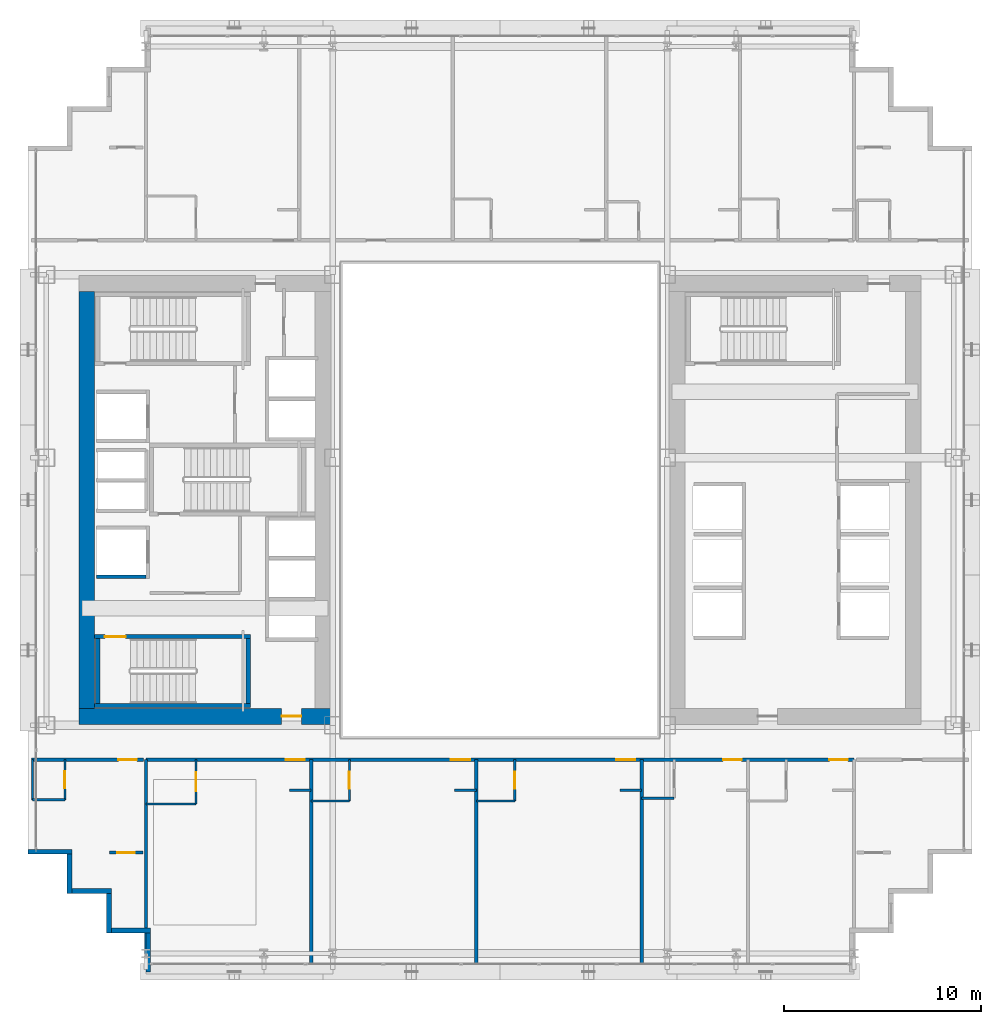
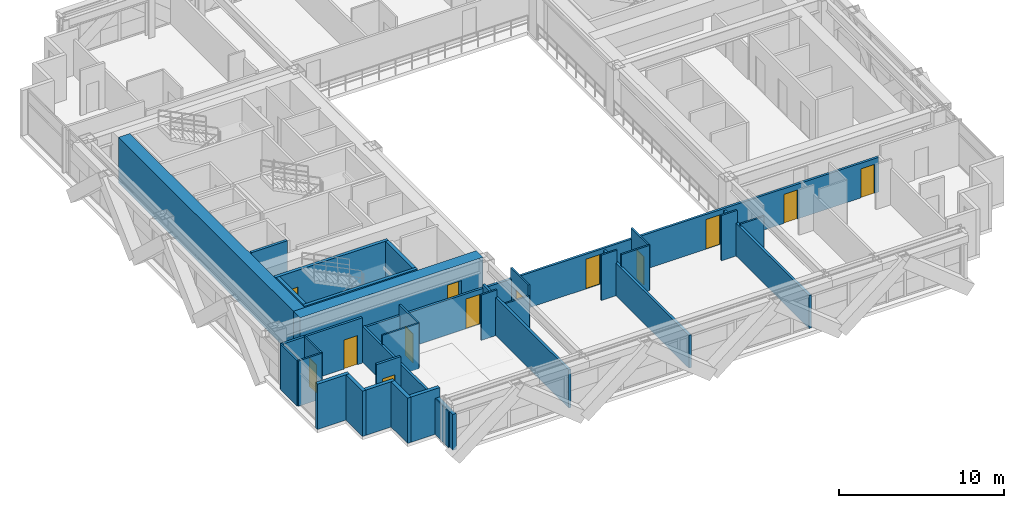
# One storey, part 27 of 35: 33 walls, 13 doors, 13 openings.
"""IFC4 building model written with IfcOpenShell, lengths in metres."""

from ifc_helpers import new_model, si_unit, direction, frame, frame_2d, origin, place, context, subcontext, project, spatial, rectangle, extrude, source, transform, mapped, material, layer, layer_set, type_object, element, fill, save


model = new_model("IFC4")

# Units and contexts
model_context = context("Model", 3, precision=1e-05, world=origin(), true_north=direction((0.0, 1.0)))
body_context = subcontext(model_context, "Body", "Model", "MODEL_VIEW")
ifc_project = project(units=[si_unit("LENGTHUNIT", "METRE"), si_unit("AREAUNIT", "SQUARE_METRE"), si_unit("VOLUMEUNIT", "CUBIC_METRE"), si_unit("PLANEANGLEUNIT", "RADIAN"), si_unit("MASSUNIT", "GRAM", prefix="KILO")], contexts=[model_context])

# Site, building, storey
site_placement = place(None, origin())
site = spatial("IfcSite", under=ifc_project, at=site_placement, CompositionType="ELEMENT")
building_placement = place(site_placement, origin())
building = spatial("IfcBuilding", under=site, at=building_placement, Name="Ocotamira Hotel", CompositionType="ELEMENT")
storey_placement = place(building_placement, frame((0.0, 0.0, 56.39990234375)))
storey = spatial("IfcBuildingStorey", under=building, at=storey_placement, Name="L13", CompositionType="ELEMENT", Elevation=56.39990234375)

# Wall, opening, door
ifc_material_1 = material(Name="Concrete C60/75", Category="concrete")
ifc_layer_1 = layer(ifc_material_1, 0.800048828125)
ifc_layer_set_1 = layer_set([ifc_layer_1], Name="Concrete C60/75")
wall_type_1 = type_object("IfcWallType", Name="WL-CORE-800", PredefinedType="SHEAR", material=ifc_layer_set_1)
wall_1_placement = place(storey_placement, frame((10.60009765625, 15.0, 0.0), z_axis=(0.0, 0.0, 1.0), x_axis=(1.0, 0.0, 0.0)))
wall_1 = element("IfcWall", 1, at=wall_1_placement, inside=storey, type_object=wall_type_1, Name="L13 Shear Core Wall WCORE-S", PredefinedType="SHEAR", context=body_context, shape_type="SweptSolid", body=[
    extrude(rectangle(XDim=12.7998046875, YDim=0.800048828125, at=frame_2d((6.39990234375, 0.0))), origin(), (0.0, 0.0, 1.0), 3.35009765625),
])
opening_1_placement = place(wall_1_placement, frame((10.300048828125, 0.0, 0.0)))
opening_1 = element("IfcOpeningElement", 2, at=opening_1_placement, cuts=wall_1, Name="Opening D-FR2", PredefinedType="OPENING", context=body_context, shape_type="SweptSolid", body=[
    extrude(rectangle(XDim=1.0, YDim=2.14990234375, at=frame_2d((0.5, 1.074951171875))), frame((0.0, 0.41015625, 0.0), z_axis=(0.0, -1.0, 0.0), x_axis=(1.0, 0.0, 0.0)), (0.0, 0.0, 1.0), 0.820068359375),
])
ifc_material_2 = material(Name="Fire-rated acoustic timber-veneer door", Category="wood")
door_type_1 = type_object("IfcDoorType", Name="DR-FIRE-1000", OperationType="NOTDEFINED", PredefinedType="DOOR", material=ifc_material_2)
shared_shape_1 = source(origin(), body_context, "Body", "SweptSolid", [
    extrude(rectangle(XDim=1.0, YDim=2.14990234375, at=frame_2d((0.5, 1.074951171875))), frame((0.0, 0.02490234375, 0.0), z_axis=(0.0, -1.0, 0.0), x_axis=(1.0, 0.0, 0.0)), (0.0, 0.0, 1.0), 0.050048828125),
])
door_1_placement = place(opening_1_placement, origin())
door_1 = element("IfcDoor", 3, at=door_1_placement, inside=storey, type_object=door_type_1, Name="L13 Door ID-L13-WLOB-S-D [ID-L13-WLOB-S-D]", OperationType="SINGLE_SWING_LEFT", OverallHeight=2.14990234375, OverallWidth=1.0, PredefinedType="DOOR", context=body_context, shape_type="MappedRepresentation", body=[
    mapped(shared_shape_1, transform((0.0, 0.0, 0.0), scale=1.0)),
])
fill(opening_1, door_1)

# Walls
wall_2_placement = place(storey_placement, frame((11.0, 15.39990234375, 0.0), z_axis=(0.0, 0.0, 1.0), x_axis=(0.0, 1.0, 0.0)))
element("IfcWall", 4, at=wall_2_placement, inside=storey, type_object=wall_type_1, Name="L13 Shear Core Wall WCORE-W", PredefinedType="SHEAR", context=body_context, shape_type="SweptSolid", body=[
    extrude(rectangle(XDim=21.2001953125, YDim=0.800048828125, at=frame_2d((10.60009765625, 0.0))), origin(), (0.0, 0.0, 1.0), 3.35009765625),
])
ifc_material_3 = material(Name="Precast concrete C45/55", Category="concrete")
ifc_layer_2 = layer(ifc_material_3, 0.25)
ifc_layer_set_2 = layer_set([ifc_layer_2], Name="Precast concrete C45/55")
wall_type_2 = type_object("IfcWallType", Name="WL-EXT-SER-250", PredefinedType="SOLIDWALL", material=ifc_layer_set_2)
wall_3_placement = place(storey_placement, frame((8.0, 8.125, 0.0), z_axis=(0.0, 0.0, 1.0), x_axis=(1.0, 0.0, 0.0)))
element("IfcWall", 5, at=wall_3_placement, inside=storey, type_object=wall_type_2, Name="L13 Serrated Corner Wall 19", PredefinedType="SOLIDWALL", context=body_context, shape_type="SweptSolid", body=[
    extrude(rectangle(XDim=2.25, YDim=0.25, at=frame_2d((1.125, 0.0))), origin(), (0.0, 0.0, 1.0), 3.35009765625),
])
for number, where, z_axis, x_axis, name in (
    (6, (10.125, 8.0, 0.0), (0.0, 0.0, 1.0), (0.0, -1.0, 0.0), "L13 Serrated Corner Wall 20"),
    (7, (10.25, 6.125, 0.0), (0.0, 0.0, 1.0), (1.0, 0.0, 0.0), "L13 Serrated Corner Wall 21"),
    (8, (12.125, 6.0, 0.0), (0.0, 0.0, 1.0), (0.0, -1.0, 0.0), "L13 Serrated Corner Wall 22"),
    (9, (12.25, 4.125, 0.0), (0.0, 0.0, 1.0), (1.0, 0.0, 0.0), "L13 Serrated Corner Wall 23"),
):
    element("IfcWall", number, at=place(storey_placement, frame(where, z_axis=z_axis, x_axis=x_axis)), inside=storey, type_object=wall_type_2, Name=name, PredefinedType="SOLIDWALL", context=body_context, shape_type="SweptSolid", body=[
        extrude(rectangle(XDim=2.0, YDim=0.25, at=frame_2d((1.0, 0.0))), origin(), (0.0, 0.0, 1.0), 3.35009765625),
    ])
wall_4_placement = place(storey_placement, frame((14.125, 4.0, 0.0), z_axis=(0.0, 0.0, 1.0), x_axis=(0.0, -1.0, 0.0)))
element("IfcWall", 10, at=wall_4_placement, inside=storey, type_object=wall_type_2, Name="L13 Serrated Corner Wall 24", PredefinedType="SOLIDWALL", context=body_context, shape_type="SweptSolid", body=[
    extrude(rectangle(XDim=2.0, YDim=0.25, at=frame_2d((1.0, 0.0))), origin(), (0.0, 0.0, 1.0), 2.656982421875),
])

# Wall, opening, door
ifc_material_4 = material(Name="Acoustic double-layer fire gypsum board partition", Category="gypsum")
ifc_layer_3 = layer(ifc_material_4, 0.159912109375)
ifc_layer_set_3 = layer_set([ifc_layer_3], Name="Acoustic double-layer fire gypsum board partition")
wall_type_3 = type_object("IfcWallType", Name="WL-FIRE-160", PredefinedType="PARTITIONING", material=ifc_layer_set_3)
wall_5_placement = place(storey_placement, frame((8.199951171875, 12.800048828125, 0.0), z_axis=(0.0, 0.0, 1.0), x_axis=(1.0, 0.0, 0.0)))
wall_5 = element("IfcWall", 11, at=wall_5_placement, inside=storey, type_object=wall_type_3, Name="L13 Interior Wall PW-L13-Z1C-CSW-CW", PredefinedType="PARTITIONING", context=body_context, shape_type="SweptSolid", body=[
    extrude(rectangle(XDim=5.679931640625, YDim=0.159912109375, at=frame_2d((2.83984375, 0.0))), origin(), (0.0, 0.0, 1.0), 3.35009765625),
])
opening_2_placement = place(wall_5_placement, frame((4.39990234375, 0.0, 0.0)))
opening_2 = element("IfcOpeningElement", 12, at=opening_2_placement, cuts=wall_5, Name="Opening D-GR1", PredefinedType="OPENING", context=body_context, shape_type="SweptSolid", body=[
    extrude(rectangle(XDim=0.93994140625, YDim=2.14990234375, at=frame_2d((0.469970703125, 1.074951171875))), frame((0.0, 0.08984375, 0.0), z_axis=(0.0, -1.0, 0.0), x_axis=(1.0, 0.0, 0.0)), (0.0, 0.0, 1.0), 0.179931640625),
])
ifc_material_5 = material(Name="Solid-core walnut suite entrance fire door", Category="wood")
door_type_2 = type_object("IfcDoorType", Name="DR-GUEST-940", OperationType="NOTDEFINED", PredefinedType="DOOR", material=ifc_material_5)
shared_shape_2 = source(origin(), body_context, "Body", "SweptSolid", [
    extrude(rectangle(XDim=0.93994140625, YDim=2.14990234375, at=frame_2d((0.469970703125, 1.074951171875))), frame((0.0, 0.02490234375, 0.0), z_axis=(0.0, -1.0, 0.0), x_axis=(1.0, 0.0, 0.0)), (0.0, 0.0, 1.0), 0.050048828125),
])
door_2_placement = place(opening_2_placement, origin())
door_2 = element("IfcDoor", 13, at=door_2_placement, inside=storey, type_object=door_type_2, Name="L13 Door ID-L13-Z1C-CSW-CD [ID-L13-Z1C-CSW-CD]", OperationType="SINGLE_SWING_RIGHT", OverallHeight=2.14990234375, OverallWidth=0.93994140625, PredefinedType="DOOR", context=body_context, shape_type="MappedRepresentation", body=[
    mapped(shared_shape_2, transform((0.0, 0.0, 0.0), scale=1.0)),
])
fill(opening_2, door_2)

wall_6_placement = place(storey_placement, frame((12.14990234375, 8.080078125, 0.0), z_axis=(0.0, 0.0, 1.0), x_axis=(1.0, 0.0, 0.0)))
wall_6 = element("IfcWall", 14, at=wall_6_placement, inside=storey, type_object=wall_type_3, Name="L13 Interior Wall PW-L13-Z1C-CSW2-CW", PredefinedType="PARTITIONING", context=body_context, shape_type="SweptSolid", body=[
    extrude(rectangle(XDim=1.7001953125, YDim=0.159912109375, at=frame_2d((0.85009765625, 0.0))), origin(), (0.0, 0.0, 1.0), 3.35009765625),
])
opening_3_placement = place(wall_6_placement, frame((0.409912109375, 0.0, 0.0)))
opening_3 = element("IfcOpeningElement", 15, at=opening_3_placement, cuts=wall_6, Name="Opening D-SV2", PredefinedType="OPENING", context=body_context, shape_type="SweptSolid", body=[
    extrude(rectangle(XDim=0.8798828125, YDim=2.14990234375, at=frame_2d((0.43994140625, 1.074951171875))), frame((0.0, 0.08984375, 0.0), z_axis=(0.0, -1.0, 0.0), x_axis=(1.0, 0.0, 0.0)), (0.0, 0.0, 1.0), 0.179931640625),
])
ifc_material_6 = material(Name="Fire-rated painted steel service door", Category="steel")
door_type_3 = type_object("IfcDoorType", Name="DR-SERV-880", OperationType="NOTDEFINED", PredefinedType="DOOR", material=ifc_material_6)
shared_shape_3 = source(origin(), body_context, "Body", "SweptSolid", [
    extrude(rectangle(XDim=0.8798828125, YDim=2.14990234375, at=frame_2d((0.43994140625, 1.074951171875))), frame((0.0, 0.02490234375, 0.0), z_axis=(0.0, -1.0, 0.0), x_axis=(1.0, 0.0, 0.0)), (0.0, 0.0, 1.0), 0.050048828125),
])
door_3_placement = place(opening_3_placement, origin())
door_3 = element("IfcDoor", 16, at=door_3_placement, inside=storey, type_object=door_type_3, Name="L13 Door ID-L13-Z1C-CSW2-CD [ID-L13-Z1C-CSW2-CD]", OperationType="SINGLE_SWING_LEFT", OverallHeight=2.14990234375, OverallWidth=0.8798828125, PredefinedType="DOOR", context=body_context, shape_type="MappedRepresentation", body=[
    mapped(shared_shape_3, transform((0.0, 0.0, 0.0), scale=1.0)),
])
fill(opening_3, door_3)

# Wall, openings, doors
wall_7_placement = place(storey_placement, frame((14.0, 12.800048828125, 0.0), z_axis=(0.0, 0.0, 1.0), x_axis=(1.0, 0.0, 0.0)))
wall_7 = element("IfcWall", 17, at=wall_7_placement, inside=storey, type_object=wall_type_3, Name="L13 Interior Wall PW-L13-Z1CS-CORRW", PredefinedType="PARTITIONING", context=body_context, shape_type="SweptSolid", body=[
    extrude(rectangle(XDim=36.0, YDim=0.159912109375, at=frame_2d((18.0, 0.0))), origin(), (0.0, 0.0, 1.0), 2.571044921875),
])
opening_4_placement = place(wall_7_placement, frame((7.10009765625, 0.0, 0.0)))
opening_4 = element("IfcOpeningElement", 18, at=opening_4_placement, cuts=wall_7, Name="Opening D-GR2", PredefinedType="OPENING", context=body_context, shape_type="SweptSolid", body=[
    extrude(rectangle(XDim=0.97998046875, YDim=2.199951171875, at=frame_2d((0.489990234375, 1.10009765625))), frame((0.0, 0.08984375, 0.0), z_axis=(0.0, -1.0, 0.0), x_axis=(1.0, 0.0, 0.0)), (0.0, 0.0, 1.0), 0.179931640625),
])
opening_5_placement = place(wall_7_placement, frame((15.5, 0.0, 0.0)))
opening_5 = element("IfcOpeningElement", 19, at=opening_5_placement, cuts=wall_7, Name="Opening D-GR2", PredefinedType="OPENING", context=body_context, shape_type="SweptSolid", body=[
    extrude(rectangle(XDim=0.97998046875, YDim=2.199951171875, at=frame_2d((0.489990234375, 1.10009765625))), frame((0.0, 0.08984375, 0.0), z_axis=(0.0, -1.0, 0.0), x_axis=(1.0, 0.0, 0.0)), (0.0, 0.0, 1.0), 0.179931640625),
])
opening_6_placement = place(wall_7_placement, frame((23.89990234375, 0.0, 0.0)))
opening_6 = element("IfcOpeningElement", 20, at=opening_6_placement, cuts=wall_7, Name="Opening D-GR2", PredefinedType="OPENING", context=body_context, shape_type="SweptSolid", body=[
    extrude(rectangle(XDim=0.97998046875, YDim=2.199951171875, at=frame_2d((0.489990234375, 1.10009765625))), frame((0.0, 0.08984375, 0.0), z_axis=(0.0, -1.0, 0.0), x_axis=(1.0, 0.0, 0.0)), (0.0, 0.0, 1.0), 0.179931640625),
])
opening_7_placement = place(wall_7_placement, frame((29.340087890625, 0.0, 0.0)))
opening_7 = element("IfcOpeningElement", 21, at=opening_7_placement, cuts=wall_7, Name="Opening D-GR1", PredefinedType="OPENING", context=body_context, shape_type="SweptSolid", body=[
    extrude(rectangle(XDim=0.93994140625, YDim=2.14990234375, at=frame_2d((0.469970703125, 1.074951171875))), frame((0.0, 0.08984375, 0.0), z_axis=(0.0, -1.0, 0.0), x_axis=(1.0, 0.0, 0.0)), (0.0, 0.0, 1.0), 0.179931640625),
])
opening_8_placement = place(wall_7_placement, frame((34.739990234375, 0.0, 0.0)))
opening_8 = element("IfcOpeningElement", 22, at=opening_8_placement, cuts=wall_7, Name="Opening D-GR1", PredefinedType="OPENING", context=body_context, shape_type="SweptSolid", body=[
    extrude(rectangle(XDim=0.93994140625, YDim=2.14990234375, at=frame_2d((0.469970703125, 1.074951171875))), frame((0.0, 0.08984375, 0.0), z_axis=(0.0, -1.0, 0.0), x_axis=(1.0, 0.0, 0.0)), (0.0, 0.0, 1.0), 0.179931640625),
])
door_4_placement = place(opening_7_placement, origin())
door_4 = element("IfcDoor", 23, at=door_4_placement, inside=storey, type_object=door_type_2, Name="L13 Door ID-L13-Z1CS-RMD4 [ID-L13-Z1CS-RMD4]", OperationType="SINGLE_SWING_RIGHT", OverallHeight=2.14990234375, OverallWidth=0.93994140625, PredefinedType="DOOR", context=body_context, shape_type="MappedRepresentation", body=[
    mapped(shared_shape_2, transform((0.0, 0.0, 0.0), scale=1.0)),
])
fill(opening_7, door_4)
door_5_placement = place(opening_8_placement, origin())
door_5 = element("IfcDoor", 24, at=door_5_placement, inside=storey, type_object=door_type_2, Name="L13 Door ID-L13-Z1CS-RMD5 [ID-L13-Z1CS-RMD5]", OperationType="SINGLE_SWING_LEFT", OverallHeight=2.14990234375, OverallWidth=0.93994140625, PredefinedType="DOOR", context=body_context, shape_type="MappedRepresentation", body=[
    mapped(shared_shape_2, transform((0.0, 0.0, 0.0), scale=1.0)),
])
fill(opening_8, door_5)
ifc_material_7 = material(Name="Solid-core walnut grand-suite entrance fire door", Category="wood")
door_type_4 = type_object("IfcDoorType", Name="DR-GUEST-980", OperationType="NOTDEFINED", PredefinedType="DOOR", material=ifc_material_7)
shared_shape_4 = source(origin(), body_context, "Body", "SweptSolid", [
    extrude(rectangle(XDim=0.97998046875, YDim=2.199951171875, at=frame_2d((0.489990234375, 1.10009765625))), frame((0.0, 0.02490234375, 0.0), z_axis=(0.0, -1.0, 0.0), x_axis=(1.0, 0.0, 0.0)), (0.0, 0.0, 1.0), 0.050048828125),
])
door_6_placement = place(opening_4_placement, origin())
door_6 = element("IfcDoor", 25, at=door_6_placement, inside=storey, type_object=door_type_4, Name="L13 Door ID-L13-Z1CS-RMD1 [ID-L13-Z1CS-RMD1]", OperationType="SINGLE_SWING_LEFT", OverallHeight=2.199951171875, OverallWidth=0.97998046875, PredefinedType="DOOR", context=body_context, shape_type="MappedRepresentation", body=[
    mapped(shared_shape_4, transform((0.0, 0.0, 0.0), scale=1.0)),
])
fill(opening_4, door_6)
door_7_placement = place(opening_5_placement, origin())
door_7 = element("IfcDoor", 26, at=door_7_placement, inside=storey, type_object=door_type_4, Name="L13 Door ID-L13-Z1CS-RMD2 [ID-L13-Z1CS-RMD2]", OperationType="SINGLE_SWING_RIGHT", OverallHeight=2.199951171875, OverallWidth=0.97998046875, PredefinedType="DOOR", context=body_context, shape_type="MappedRepresentation", body=[
    mapped(shared_shape_4, transform((0.0, 0.0, 0.0), scale=1.0)),
])
fill(opening_5, door_7)
door_8_placement = place(opening_6_placement, origin())
door_8 = element("IfcDoor", 27, at=door_8_placement, inside=storey, type_object=door_type_4, Name="L13 Door ID-L13-Z1CS-RMD3 [ID-L13-Z1CS-RMD3]", OperationType="SINGLE_SWING_LEFT", OverallHeight=2.199951171875, OverallWidth=0.97998046875, PredefinedType="DOOR", context=body_context, shape_type="MappedRepresentation", body=[
    mapped(shared_shape_4, transform((0.0, 0.0, 0.0), scale=1.0)),
])
fill(opening_6, door_8)

# Wall, opening, door
ifc_material_8 = material(Name="Moisture-resistant en-suite tile and gypsum partition", Category="gypsum")
ifc_layer_4 = layer(ifc_material_8, 0.1201171875)
ifc_layer_set_4 = layer_set([ifc_layer_4], Name="Moisture-resistant en-suite tile and gypsum partition")
wall_type_4 = type_object("IfcWallType", Name="WL-PART-120", PredefinedType="PARTITIONING", material=ifc_layer_set_4)
wall_8_placement = place(storey_placement, frame((9.889892578125, 10.760009765625, 0.0), z_axis=(0.0, 0.0, 1.0), x_axis=(0.0, 1.0, 0.0)))
wall_8 = element("IfcWall", 28, at=wall_8_placement, inside=storey, type_object=wall_type_4, Name="L13 Interior Wall PW-L13-Z1C-CSW-BE", PredefinedType="PARTITIONING", context=body_context, shape_type="SweptSolid", body=[
    extrude(rectangle(XDim=2.0400390625, YDim=0.1201171875, at=frame_2d((1.02001953125, 0.0))), origin(), (0.0, 0.0, 1.0), 3.35009765625),
])
opening_9_placement = place(wall_8_placement, frame((0.590087890625, 0.0, 0.0)))
opening_9 = element("IfcOpeningElement", 29, at=opening_9_placement, cuts=wall_8, Name="Opening D-BA1", PredefinedType="OPENING", context=body_context, shape_type="SweptSolid", body=[
    extrude(rectangle(XDim=0.860107421875, YDim=2.10009765625, at=frame_2d((0.43017578125, 1.050048828125))), frame((0.0, 0.070068359375, 0.0), z_axis=(0.0, -1.0, 0.0), x_axis=(1.0, 0.0, 0.0)), (0.0, 0.0, 1.0), 0.14013671875),
])
ifc_material_9 = material(Name="Moisture-sealed en-suite timber door", Category="wood")
door_type_5 = type_object("IfcDoorType", Name="DR-BATH-860", OperationType="NOTDEFINED", PredefinedType="DOOR", material=ifc_material_9)
shared_shape_5 = source(origin(), body_context, "Body", "SweptSolid", [
    extrude(rectangle(XDim=0.860107421875, YDim=2.10009765625, at=frame_2d((0.43017578125, 1.050048828125))), frame((0.0, 0.02490234375, 0.0), z_axis=(0.0, -1.0, 0.0), x_axis=(1.0, 0.0, 0.0)), (0.0, 0.0, 1.0), 0.050048828125),
])
door_9_placement = place(opening_9_placement, origin())
door_9 = element("IfcDoor", 30, at=door_9_placement, inside=storey, type_object=door_type_5, Name="L13 Door ID-L13-Z1C-CSW-BD [ID-L13-Z1C-CSW-BD]", OperationType="SINGLE_SWING_LEFT", OverallHeight=2.10009765625, OverallWidth=0.860107421875, PredefinedType="DOOR", context=body_context, shape_type="MappedRepresentation", body=[
    mapped(shared_shape_5, transform((0.0, 0.0, 0.0), scale=1.0)),
])
fill(opening_9, door_9)

# Walls
wall_9_placement = place(storey_placement, frame((8.239990234375, 10.760009765625, 0.0), z_axis=(0.0, 0.0, 1.0), x_axis=(0.0, 1.0, 0.0)))
element("IfcWall", 31, at=wall_9_placement, inside=storey, type_object=wall_type_4, Name="L13 Interior Wall PW-L13-Z1C-CSW-BW", PredefinedType="PARTITIONING", context=body_context, shape_type="SweptSolid", body=[
    extrude(rectangle(XDim=2.0400390625, YDim=0.1201171875, at=frame_2d((1.02001953125, 0.0))), origin(), (0.0, 0.0, 1.0), 3.35009765625),
])
wall_10_placement = place(storey_placement, frame((8.239990234375, 10.760009765625, 0.0), z_axis=(0.0, 0.0, 1.0), x_axis=(1.0, 0.0, 0.0)))
element("IfcWall", 32, at=wall_10_placement, inside=storey, type_object=wall_type_4, Name="L13 Interior Wall PW-L13-Z1C-CSW-BH", PredefinedType="PARTITIONING", context=body_context, shape_type="SweptSolid", body=[
    extrude(rectangle(XDim=1.64990234375, YDim=0.1201171875, at=frame_2d((0.824951171875, 0.0))), origin(), (0.0, 0.0, 1.0), 3.35009765625),
])

# Wall, opening, door
wall_11_placement = place(storey_placement, frame((16.550048828125, 10.550048828125, 0.0), z_axis=(0.0, 0.0, 1.0), x_axis=(0.0, 1.0, 0.0)))
wall_11 = element("IfcWall", 33, at=wall_11_placement, inside=storey, type_object=wall_type_4, Name="L13 Interior Wall PW-L13-Z1CS-BAE1", PredefinedType="PARTITIONING", context=body_context, shape_type="SweptSolid", body=[
    extrude(rectangle(XDim=2.25, YDim=0.1201171875, at=frame_2d((1.125, 0.0))), origin(), (0.0, 0.0, 1.0), 3.35009765625),
])
opening_10_placement = place(wall_11_placement, frame((0.64501953125, 0.0, 0.0)))
opening_10 = element("IfcOpeningElement", 34, at=opening_10_placement, cuts=wall_11, Name="Opening D-IN1", PredefinedType="OPENING", context=body_context, shape_type="SweptSolid", body=[
    extrude(rectangle(XDim=0.9599609375, YDim=2.14990234375, at=frame_2d((0.47998046875, 1.074951171875))), frame((0.0, 0.070068359375, 0.0), z_axis=(0.0, -1.0, 0.0), x_axis=(1.0, 0.0, 0.0)), (0.0, 0.0, 1.0), 0.14013671875),
])
ifc_material_10 = material(Name="Accessible walnut interior room door", Category="wood")
door_type_6 = type_object("IfcDoorType", Name="DR-INT-960", OperationType="NOTDEFINED", PredefinedType="DOOR", material=ifc_material_10)
shared_shape_6 = source(origin(), body_context, "Body", "SweptSolid", [
    extrude(rectangle(XDim=0.9599609375, YDim=2.14990234375, at=frame_2d((0.47998046875, 1.074951171875))), frame((0.0, 0.02490234375, 0.0), z_axis=(0.0, -1.0, 0.0), x_axis=(1.0, 0.0, 0.0)), (0.0, 0.0, 1.0), 0.050048828125),
])
door_10_placement = place(opening_10_placement, origin())
door_10 = element("IfcDoor", 35, at=door_10_placement, inside=storey, type_object=door_type_6, Name="L13 Door ID-L13-Z1CS-BAD1 [ID-L13-Z1CS-BAD1]", OperationType="SINGLE_SWING_RIGHT", OverallHeight=2.14990234375, OverallWidth=0.9599609375, PredefinedType="DOOR", context=body_context, shape_type="MappedRepresentation", body=[
    mapped(shared_shape_6, transform((0.0, 0.0, 0.0), scale=1.0)),
])
fill(opening_10, door_10)

# Walls
wall_12_placement = place(storey_placement, frame((14.0, 10.550048828125, 0.0), z_axis=(0.0, 0.0, 1.0), x_axis=(1.0, 0.0, 0.0)))
element("IfcWall", 36, at=wall_12_placement, inside=storey, type_object=wall_type_4, Name="L13 Interior Wall PW-L13-Z1CS-BAS1", PredefinedType="PARTITIONING", context=body_context, shape_type="SweptSolid", body=[
    extrude(rectangle(XDim=2.550048828125, YDim=0.1201171875, at=frame_2d((1.27490234375, 0.0))), origin(), (0.0, 0.0, 1.0), 3.35009765625),
])
wall_13_placement = place(storey_placement, frame((21.300048828125, 11.25, 0.0), z_axis=(0.0, 0.0, 1.0), x_axis=(1.0, 0.0, 0.0)))
element("IfcWall", 37, at=wall_13_placement, inside=storey, type_object=wall_type_4, Name="L13 Interior Wall PW-L13-Z1CS-DRN1", PredefinedType="PARTITIONING", context=body_context, shape_type="SweptSolid", body=[
    extrude(rectangle(XDim=1.099853515625, YDim=0.1201171875, at=frame_2d((0.5498046875, 0.0))), origin(), (0.0, 0.0, 1.0), 3.35009765625),
])

# Wall, opening, door
wall_14_placement = place(storey_placement, frame((24.35009765625, 10.699951171875, 0.0), z_axis=(0.0, 0.0, 1.0), x_axis=(0.0, 1.0, 0.0)))
wall_14 = element("IfcWall", 38, at=wall_14_placement, inside=storey, type_object=wall_type_4, Name="L13 Interior Wall PW-L13-Z1CS-BAE2", PredefinedType="PARTITIONING", context=body_context, shape_type="SweptSolid", body=[
    extrude(rectangle(XDim=2.10009765625, YDim=0.1201171875, at=frame_2d((1.050048828125, 0.0))), origin(), (0.0, 0.0, 1.0), 3.35009765625),
])
opening_11_placement = place(wall_14_placement, frame((0.6201171875, 0.0, 0.0)))
opening_11 = element("IfcOpeningElement", 39, at=opening_11_placement, cuts=wall_14, Name="Opening D-BA1", PredefinedType="OPENING", context=body_context, shape_type="SweptSolid", body=[
    extrude(rectangle(XDim=0.860107421875, YDim=2.10009765625, at=frame_2d((0.43017578125, 1.050048828125))), frame((0.0, 0.070068359375, 0.0), z_axis=(0.0, -1.0, 0.0), x_axis=(1.0, 0.0, 0.0)), (0.0, 0.0, 1.0), 0.14013671875),
])
door_11_placement = place(opening_11_placement, origin())
door_11 = element("IfcDoor", 40, at=door_11_placement, inside=storey, type_object=door_type_5, Name="L13 Door ID-L13-Z1CS-BAD2 [ID-L13-Z1CS-BAD2]", OperationType="SINGLE_SWING_LEFT", OverallHeight=2.10009765625, OverallWidth=0.860107421875, PredefinedType="DOOR", context=body_context, shape_type="MappedRepresentation", body=[
    mapped(shared_shape_5, transform((0.0, 0.0, 0.0), scale=1.0)),
])
fill(opening_11, door_11)

# Walls
wall_15_placement = place(storey_placement, frame((22.39990234375, 10.699951171875, 0.0), z_axis=(0.0, 0.0, 1.0), x_axis=(1.0, 0.0, 0.0)))
element("IfcWall", 41, at=wall_15_placement, inside=storey, type_object=wall_type_4, Name="L13 Interior Wall PW-L13-Z1CS-BAS2", PredefinedType="PARTITIONING", context=body_context, shape_type="SweptSolid", body=[
    extrude(rectangle(XDim=1.9501953125, YDim=0.1201171875, at=frame_2d((0.97509765625, 0.0))), origin(), (0.0, 0.0, 1.0), 2.571044921875),
])
wall_16_placement = place(storey_placement, frame((29.699951171875, 11.25, 0.0), z_axis=(0.0, 0.0, 1.0), x_axis=(1.0, 0.0, 0.0)))
element("IfcWall", 42, at=wall_16_placement, inside=storey, type_object=wall_type_4, Name="L13 Interior Wall PW-L13-Z1CS-DRN2", PredefinedType="PARTITIONING", context=body_context, shape_type="SweptSolid", body=[
    extrude(rectangle(XDim=1.10009765625, YDim=0.1201171875, at=frame_2d((0.550048828125, 0.0))), origin(), (0.0, 0.0, 1.0), 3.35009765625),
])

# Wall, opening, door
wall_17_placement = place(storey_placement, frame((32.75, 10.699951171875, 0.0), z_axis=(0.0, 0.0, 1.0), x_axis=(0.0, 1.0, 0.0)))
wall_17 = element("IfcWall", 43, at=wall_17_placement, inside=storey, type_object=wall_type_4, Name="L13 Interior Wall PW-L13-Z1CS-BAE3", PredefinedType="PARTITIONING", context=body_context, shape_type="SweptSolid", body=[
    extrude(rectangle(XDim=2.10009765625, YDim=0.1201171875, at=frame_2d((1.050048828125, 0.0))), origin(), (0.0, 0.0, 1.0), 3.35009765625),
])
opening_12_placement = place(wall_17_placement, frame((0.6201171875, 0.0, 0.0)))
opening_12 = element("IfcOpeningElement", 44, at=opening_12_placement, cuts=wall_17, Name="Opening D-BA1", PredefinedType="OPENING", context=body_context, shape_type="SweptSolid", body=[
    extrude(rectangle(XDim=0.860107421875, YDim=2.10009765625, at=frame_2d((0.43017578125, 1.050048828125))), frame((0.0, 0.070068359375, 0.0), z_axis=(0.0, -1.0, 0.0), x_axis=(1.0, 0.0, 0.0)), (0.0, 0.0, 1.0), 0.14013671875),
])
door_12_placement = place(opening_12_placement, origin())
door_12 = element("IfcDoor", 45, at=door_12_placement, inside=storey, type_object=door_type_5, Name="L13 Door ID-L13-Z1CS-BAD3 [ID-L13-Z1CS-BAD3]", OperationType="SINGLE_SWING_RIGHT", OverallHeight=2.10009765625, OverallWidth=0.860107421875, PredefinedType="DOOR", context=body_context, shape_type="MappedRepresentation", body=[
    mapped(shared_shape_5, transform((0.0, 0.0, 0.0), scale=1.0)),
])
fill(opening_12, door_12)

# Walls
wall_18_placement = place(storey_placement, frame((30.800048828125, 10.699951171875, 0.0), z_axis=(0.0, 0.0, 1.0), x_axis=(1.0, 0.0, 0.0)))
element("IfcWall", 46, at=wall_18_placement, inside=storey, type_object=wall_type_4, Name="L13 Interior Wall PW-L13-Z1CS-BAS3", PredefinedType="PARTITIONING", context=body_context, shape_type="SweptSolid", body=[
    extrude(rectangle(XDim=1.949951171875, YDim=0.1201171875, at=frame_2d((0.97509765625, 0.0))), origin(), (0.0, 0.0, 1.0), 3.35009765625),
])
wall_19_placement = place(storey_placement, frame((38.10009765625, 11.25, 0.0), z_axis=(0.0, 0.0, 1.0), x_axis=(1.0, 0.0, 0.0)))
element("IfcWall", 47, at=wall_19_placement, inside=storey, type_object=wall_type_4, Name="L13 Interior Wall PW-L13-Z1CS-DRN3", PredefinedType="PARTITIONING", context=body_context, shape_type="SweptSolid", body=[
    extrude(rectangle(XDim=1.099853515625, YDim=0.1201171875, at=frame_2d((0.5498046875, 0.0))), origin(), (0.0, 0.0, 1.0), 3.35009765625),
])
wall_20_placement = place(storey_placement, frame((39.199951171875, 10.85009765625, 0.0), z_axis=(0.0, 0.0, 1.0), x_axis=(1.0, 0.0, 0.0)))
element("IfcWall", 48, at=wall_20_placement, inside=storey, type_object=wall_type_4, Name="L13 Interior Wall PW-L13-Z1CS-BAS4", PredefinedType="PARTITIONING", context=body_context, shape_type="SweptSolid", body=[
    extrude(rectangle(XDim=1.650146484375, YDim=0.1201171875, at=frame_2d((0.8251953125, 0.0))), origin(), (0.0, 0.0, 1.0), 2.571044921875),
])
ifc_material_11 = material(Name="Acoustic double-stud hospitality gypsum partition", Category="gypsum")
ifc_layer_5 = layer(ifc_material_11, 0.159912109375)
ifc_layer_set_5 = layer_set([ifc_layer_5], Name="Acoustic double-stud hospitality gypsum partition")
wall_type_5 = type_object("IfcWallType", Name="WL-PART-160", PredefinedType="PARTITIONING", material=ifc_layer_set_5)
wall_21_placement = place(storey_placement, frame((14.0, 2.360107421875, 0.0), z_axis=(0.0, 0.0, 1.0), x_axis=(0.0, 1.0, 0.0)))
element("IfcWall", 49, at=wall_21_placement, inside=storey, type_object=wall_type_5, Name="L13 Interior Wall PW-L13-Z1CS-PW0", PredefinedType="PARTITIONING", context=body_context, shape_type="SweptSolid", body=[
    extrude(rectangle(XDim=10.43994140625, YDim=0.159912109375, at=frame_2d((5.219970703125, 0.0))), origin(), (0.0, 0.0, 1.0), 2.656982421875),
])
ifc_material_12 = material(Name="Double-stud suite party gypsum partition", Category="gypsum")
ifc_layer_6 = layer(ifc_material_12, 0.175048828125)
ifc_layer_set_6 = layer_set([ifc_layer_6], Name="Double-stud suite party gypsum partition")
wall_type_6 = type_object("IfcWallType", Name="WL-PART-175", PredefinedType="PARTITIONING", material=ifc_layer_set_6)
wall_22_placement = place(storey_placement, frame((22.39990234375, 2.360107421875, 0.0), z_axis=(0.0, 0.0, 1.0), x_axis=(0.0, 1.0, 0.0)))
element("IfcWall", 50, at=wall_22_placement, inside=storey, type_object=wall_type_6, Name="L13 Interior Wall PW-L13-Z1CS-PW1", PredefinedType="PARTITIONING", context=body_context, shape_type="SweptSolid", body=[
    extrude(rectangle(XDim=10.43994140625, YDim=0.175048828125, at=frame_2d((5.219970703125, 0.0))), origin(), (0.0, 0.0, 1.0), 2.81298828125),
])
for number, where, z_axis, x_axis, name in (
    (51, (30.800048828125, 2.360107421875, 0.0), (0.0, 0.0, 1.0), (0.0, 1.0, 0.0), "L13 Interior Wall PW-L13-Z1CS-PW2"),
    (52, (39.199951171875, 2.360107421875, 0.0), (0.0, 0.0, 1.0), (0.0, 1.0, 0.0), "L13 Interior Wall PW-L13-Z1CS-PW3"),
):
    element("IfcWall", number, at=place(storey_placement, frame(where, z_axis=z_axis, x_axis=x_axis)), inside=storey, type_object=wall_type_6, Name=name, PredefinedType="PARTITIONING", context=body_context, shape_type="SweptSolid", body=[
        extrude(rectangle(XDim=10.43994140625, YDim=0.175048828125, at=frame_2d((5.219970703125, 0.0))), origin(), (0.0, 0.0, 1.0), 2.423095703125),
    ])
ifc_material_13 = material(Name="Fire-rated gypsum shaftliner board assembly", Category="gypsum")
ifc_layer_7 = layer(ifc_material_13, 0.179931640625)
ifc_layer_set_7 = layer_set([ifc_layer_7], Name="Fire-rated gypsum shaftliner board assembly")
wall_type_7 = type_object("IfcWallType", Name="WL-SHAFT-180", PredefinedType="SOLIDWALL", material=ifc_layer_set_7)
wall_23_placement = place(storey_placement, frame((11.5, 22.110107421875, 0.0), z_axis=(0.0, 0.0, 1.0), x_axis=(1.0, 0.0, 0.0)))
element("IfcWall", 53, at=wall_23_placement, inside=storey, type_object=wall_type_7, Name="L13 Interior Wall PW-L13-LFW-LF-FSAE1-S", PredefinedType="SOLIDWALL", context=body_context, shape_type="SweptSolid", body=[
    extrude(rectangle(XDim=2.5, YDim=0.179931640625, at=frame_2d((1.25, 0.0))), origin(), (0.0, 0.0, 1.0), 3.35009765625),
])
ifc_material_14 = material(Name="Concrete C50/60", Category="concrete")
ifc_layer_8 = layer(ifc_material_14, 0.219970703125)
ifc_layer_set_8 = layer_set([ifc_layer_8], Name="Concrete C50/60")
wall_type_8 = type_object("IfcWallType", Name="WL-STAIR-220", PredefinedType="SHEAR", material=ifc_layer_set_8)
wall_24_placement = place(storey_placement, frame((11.39990234375, 15.56005859375, 0.0), z_axis=(0.0, 0.0, 1.0), x_axis=(1.0, 0.0, 0.0)))
element("IfcWall", 54, at=wall_24_placement, inside=storey, type_object=wall_type_8, Name="L13 Stair Shaft Structural Wall ST-1-S", PredefinedType="SHEAR", context=body_context, shape_type="SweptSolid", body=[
    extrude(rectangle(XDim=7.91015625, YDim=0.219970703125, at=frame_2d((3.955078125, 0.0))), origin(), (0.0, 0.0, 1.0), 3.400146484375),
])

# Wall, opening, door
wall_25_placement = place(storey_placement, frame((11.39990234375, 19.06005859375, 0.0), z_axis=(0.0, 0.0, 1.0), x_axis=(1.0, 0.0, 0.0)))
wall_25 = element("IfcWall", 55, at=wall_25_placement, inside=storey, type_object=wall_type_8, Name="L13 Stair Shaft Structural Wall ST-1-N", PredefinedType="SHEAR", context=body_context, shape_type="SweptSolid", body=[
    extrude(rectangle(XDim=7.91015625, YDim=0.219970703125, at=frame_2d((3.955078125, 0.0))), origin(), (0.0, 0.0, 1.0), 3.400146484375),
])
opening_13_placement = place(wall_25_placement, frame((0.52001953125, 0.0, 0.0)))
opening_13 = element("IfcOpeningElement", 56, at=opening_13_placement, cuts=wall_25, Name="Opening D-ST2", PredefinedType="OPENING", context=body_context, shape_type="SweptSolid", body=[
    extrude(rectangle(XDim=1.050048828125, YDim=2.14990234375, at=frame_2d((0.52490234375, 1.074951171875))), frame((0.0, 0.1201171875, 0.0), z_axis=(0.0, -1.0, 0.0), x_axis=(1.0, 0.0, 0.0)), (0.0, 0.0, 1.0), 0.239990234375),
])
ifc_material_15 = material(Name="Insulated painted hollow-metal fire exit door", Category="steel")
door_type_7 = type_object("IfcDoorType", Name="DR-STAIR-1050", OperationType="NOTDEFINED", PredefinedType="DOOR", material=ifc_material_15)
shared_shape_7 = source(origin(), body_context, "Body", "SweptSolid", [
    extrude(rectangle(XDim=1.050048828125, YDim=2.14990234375, at=frame_2d((0.52490234375, 1.074951171875))), frame((0.0, 0.02490234375, 0.0), z_axis=(0.0, -1.0, 0.0), x_axis=(1.0, 0.0, 0.0)), (0.0, 0.0, 1.0), 0.050048828125),
])
door_13_placement = place(opening_13_placement, origin())
door_13 = element("IfcDoor", 57, at=door_13_placement, inside=storey, type_object=door_type_7, Name="L13 Door ID-L13-STD-ST-1 [ID-L13-STD-ST-1]", OperationType="SINGLE_SWING_RIGHT", OverallHeight=2.14990234375, OverallWidth=1.050048828125, PredefinedType="DOOR", context=body_context, shape_type="MappedRepresentation", body=[
    mapped(shared_shape_7, transform((0.0, 0.0, 0.0), scale=1.0)),
])
fill(opening_13, door_13)

# Walls
for number, where, z_axis, x_axis, name in (
    (58, (11.56005859375, 15.669921875, 0.0), (0.0, 0.0, 1.0), (0.0, 1.0, 0.0), "L13 Stair Shaft Structural Wall ST-1-W"),
    (59, (19.199951171875, 15.669921875, 0.0), (0.0, 0.0, 1.0), (0.0, 1.0, 0.0), "L13 Stair Shaft Structural Wall ST-1-E"),
):
    element("IfcWall", number, at=place(storey_placement, frame(where, z_axis=z_axis, x_axis=x_axis)), inside=storey, type_object=wall_type_8, Name=name, PredefinedType="SHEAR", context=body_context, shape_type="SweptSolid", body=[
        extrude(rectangle(XDim=3.280029296875, YDim=0.219970703125, at=frame_2d((1.64013671875, 0.0))), origin(), (0.0, 0.0, 1.0), 3.400146484375),
    ])

save(model, "model.ifc")
